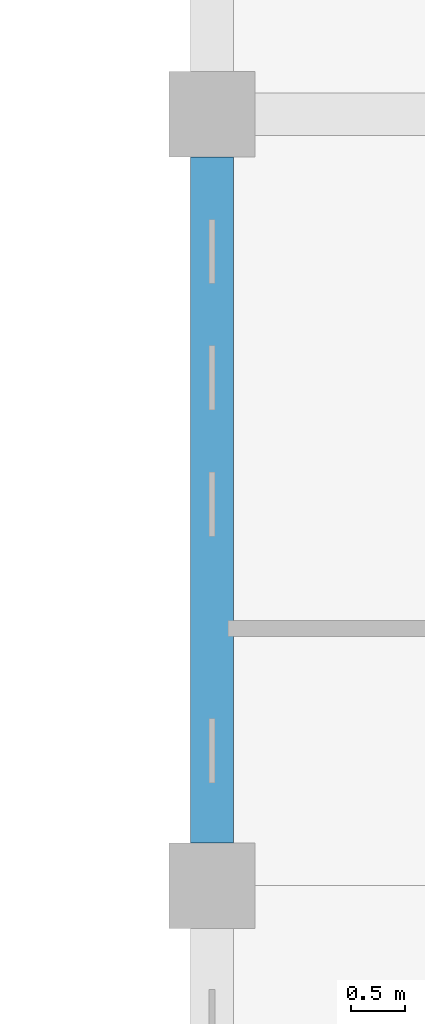
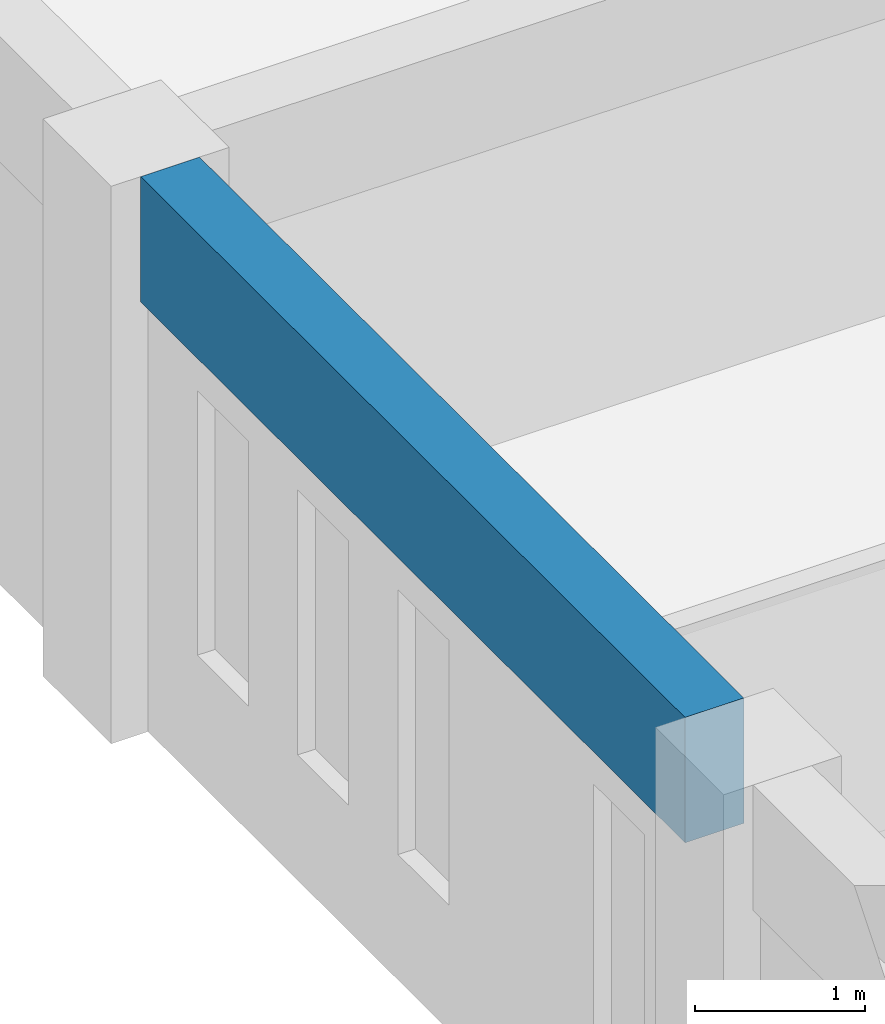
# One storey, part 9 of 47: 1 beam.
"""IFC4 building model written with IfcOpenShell, lengths in metres."""

from ifc_helpers import new_model, si_unit, direction, frame, origin, origin_2d, place, context, subcontext, project, spatial, rectangle, extrude, material, material_profile, profile_set, type_object, element, save


model = new_model("IFC4")

# Units and contexts
model_context = context("Model", 3, precision=1e-05, world=origin(), true_north=direction((0.0, 1.0)))
body_context = subcontext(model_context, "Body", "Model", "MODEL_VIEW")
ifc_project = project(units=[si_unit("LENGTHUNIT", "METRE"), si_unit("AREAUNIT", "SQUARE_METRE"), si_unit("VOLUMEUNIT", "CUBIC_METRE"), si_unit("PLANEANGLEUNIT", "RADIAN"), si_unit("MASSUNIT", "GRAM", prefix="KILO")], contexts=[model_context])

# Site, building, storey
site_placement = place(None, origin())
site = spatial("IfcSite", under=ifc_project, at=site_placement, CompositionType="ELEMENT")
building_placement = place(site_placement, origin())
building = spatial("IfcBuilding", under=site, at=building_placement, Name="Laocheng Heights Fire and Rescue Headquarters", CompositionType="ELEMENT")
storey_placement = place(building_placement, frame((0.0, 0.0, 16.800048828125)))
storey = spatial("IfcBuildingStorey", under=building, at=storey_placement, Name="L04", CompositionType="ELEMENT", Elevation=16.800048828125)

# Beam
ifc_material = material(Name="Concrete C40", Category="concrete")
ifc_material_profile = material_profile(ifc_material, rectangle(XDim=0.39990234375, YDim=0.89990234375, at=origin_2d()), Name="RC BEAM 400x900 HQ")
ifc_profile_set = profile_set([ifc_material_profile], Name="Concrete C40")
beam_type = type_object("IfcBeamType", Name="RC BEAM 400x900 HQ", PredefinedType="BEAM", material=ifc_profile_set)
beam_placement = place(storey_placement, frame((36.0, 58.0, 3.550048828125), z_axis=(0.0, 1.0, 0.0), x_axis=(-1.0, 0.0, 0.0)))
element("IfcBeam", 1, at=beam_placement, inside=storey, type_object=beam_type, Name="HQ beam L04", PredefinedType="BEAM", context=body_context, shape_type="SweptSolid", body=[
    extrude(rectangle(XDim=0.39990234375, YDim=0.89990234375, at=origin_2d()), origin(), (0.0, 0.0, 1.0), 6.39990234375),
])

save(model, "model.ifc")
